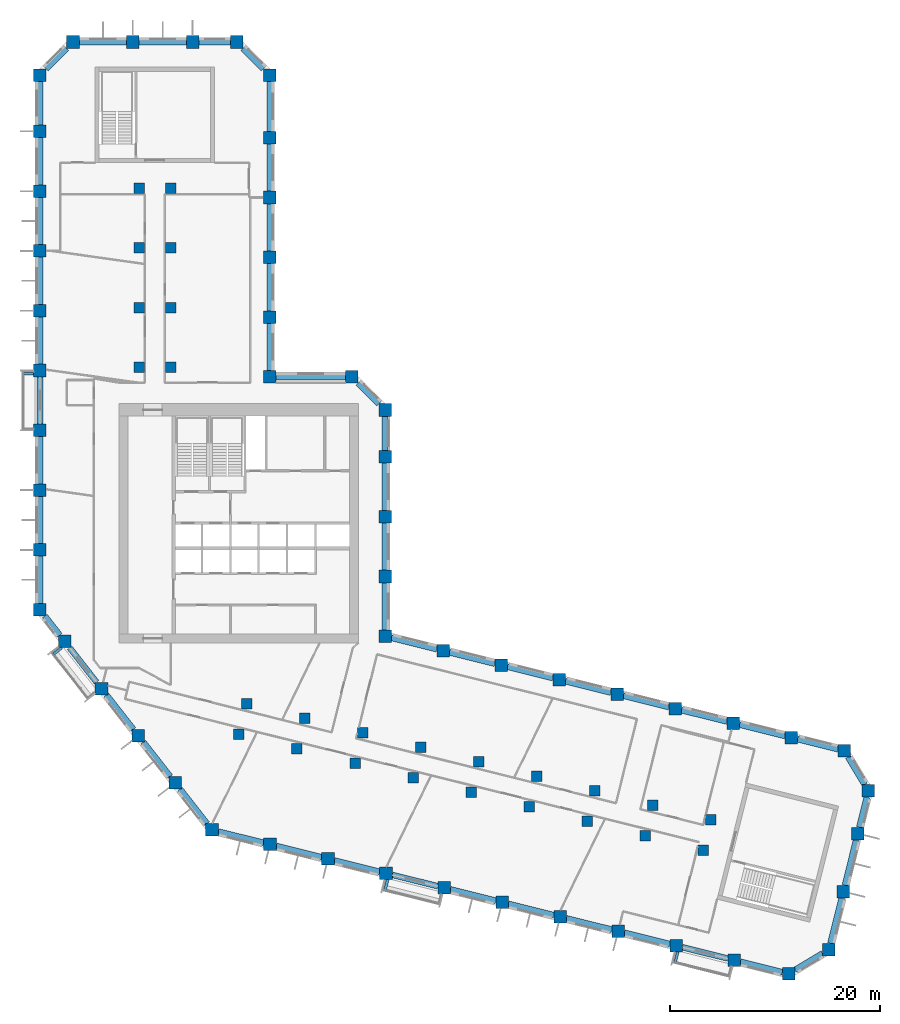
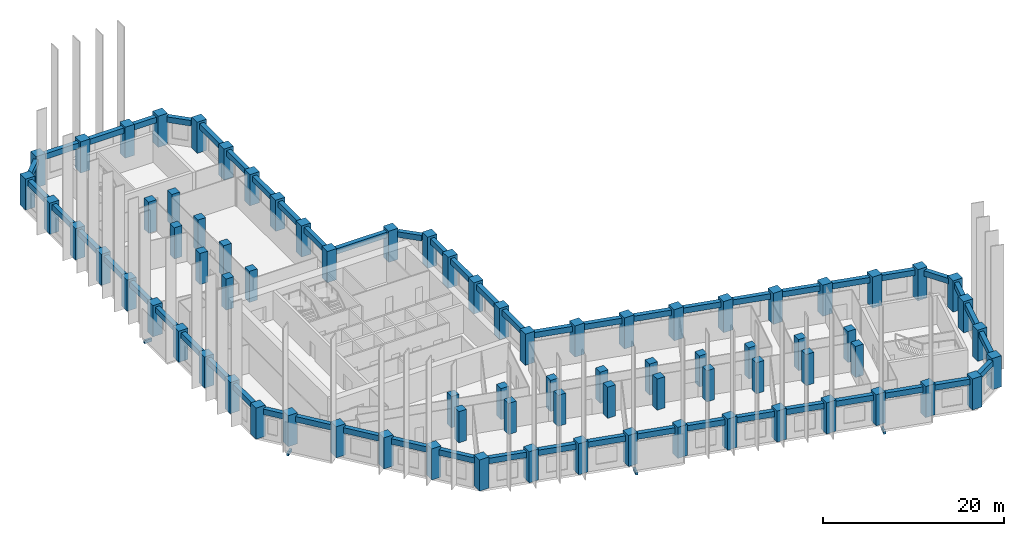
# One storey, part 1 of 10: 79 columns, 57 beams.
"""IFC4 building model written with IfcOpenShell, lengths in metres."""

from ifc_helpers import new_model, si_unit, direction, frame, origin, origin_2d, place, context, subcontext, project, spatial, rectangle, extrude, material, material_profile, profile_set, type_object, element, save


model = new_model("IFC4")

# Units and contexts
model_context = context("Model", 3, precision=1e-05, world=origin(), true_north=direction((0.0, 1.0)))
body_context = subcontext(model_context, "Body", "Model", "MODEL_VIEW")
ifc_project = project(units=[si_unit("LENGTHUNIT", "METRE"), si_unit("AREAUNIT", "SQUARE_METRE"), si_unit("VOLUMEUNIT", "CUBIC_METRE"), si_unit("PLANEANGLEUNIT", "RADIAN"), si_unit("MASSUNIT", "GRAM", prefix="KILO")], contexts=[model_context])

# Site, building, storey
site_placement = place(None, origin())
site = spatial("IfcSite", under=ifc_project, at=site_placement, CompositionType="ELEMENT")
building_placement = place(site_placement, origin())
building = spatial("IfcBuilding", under=site, at=building_placement, Name="Meshkara Civic Tower", CompositionType="ELEMENT")
storey_placement = place(building_placement, frame((0.0, 0.0, 195.0)))
storey = spatial("IfcBuildingStorey", under=building, at=storey_placement, Name="L44", CompositionType="ELEMENT", Elevation=195.0)

# Columns
ifc_material_1 = material(Name="Concrete C70", Category="concrete")
ifc_material_profile_1 = material_profile(ifc_material_1, rectangle(XDim=1.0, YDim=1.0, at=origin_2d()))
ifc_profile_set_1 = profile_set([ifc_material_profile_1], Name="Concrete C70")
column_type_1 = type_object("IfcColumnType", Name="Interior column RC 1000x1000 C70", PredefinedType="COLUMN", material=ifc_profile_set_1)
for number, where, z_axis, x_axis, name in (
    (1, (9.89990234375, 40.35009765625, 0.0), (0.0, 0.0, 1.0), (1.0, 0.0, 0.0), "Column SA1-04 L44"),
    (2, (9.89990234375, 46.050048828125, 0.0), (0.0, 0.0, 1.0), (1.0, 0.0, 0.0), "Column SA1-05 L44"),
    (3, (9.89990234375, 51.75, 0.0), (0.0, 0.0, 1.0), (1.0, 0.0, 0.0), "Column SA1-06 L44"),
    (4, (9.89990234375, 57.449951171875, 0.0), (0.0, 0.0, 1.0), (1.0, 0.0, 0.0), "Column SA1-07 L44"),
    (5, (12.89990234375, 40.35009765625, 0.0), (0.0, 0.0, 1.0), (1.0, 0.0, 0.0), "Column SA2-04 L44"),
    (6, (12.89990234375, 46.050048828125, 0.0), (0.0, 0.0, 1.0), (1.0, 0.0, 0.0), "Column SA2-05 L44"),
    (7, (12.89990234375, 51.75, 0.0), (0.0, 0.0, 1.0), (1.0, 0.0, 0.0), "Column SA2-06 L44"),
    (8, (12.89990234375, 57.449951171875, 0.0), (0.0, 0.0, 1.0), (1.0, 0.0, 0.0), "Column SA2-07 L44"),
    (9, (19.424072265625, 5.360107421875, 0.0), (0.0, 0.0, 1.0), (1.0, 0.0, 0.0), "Column SB1-00 L44"),
    (10, (24.9541015625, 3.98095703125, 0.0), (0.0, 0.0, 1.0), (1.0, 0.0, 0.0), "Column SB1-01 L44"),
    (11, (30.485107421875, 2.60205078125, 0.0), (0.0, 0.0, 1.0), (1.0, 0.0, 0.0), "Column SB1-02 L44"),
    (12, (36.01611328125, 1.222900390625, 0.0), (0.0, 0.0, 1.0), (1.0, 0.0, 0.0), "Column SB1-03 L44"),
    (13, (41.5458984375, -0.156005859375, 0.0), (0.0, 0.0, 1.0), (1.0, 0.0, 0.0), "Column SB1-04 L44"),
    (14, (47.076904296875, -1.534912109375, 0.0), (0.0, 0.0, 1.0), (1.0, 0.0, 0.0), "Column SB1-05 L44"),
    (15, (52.60791015625, -2.9140625, 0.0), (0.0, 0.0, 1.0), (1.0, 0.0, 0.0), "Column SB1-06 L44"),
    (16, (58.138916015625, -4.2919921875, 0.0), (0.0, 0.0, 1.0), (1.0, 0.0, 0.0), "Column SB1-07 L44"),
    (17, (63.6689453125, -5.6708984375, 0.0), (0.0, 0.0, 1.0), (1.0, 0.0, 0.0), "Column SB1-08 L44"),
    (18, (20.14892578125, 8.27099609375, 0.0), (0.0, 0.0, 1.0), (1.0, 0.0, 0.0), "Column SB2-00 L44"),
    (19, (25.679931640625, 6.89208984375, 0.0), (0.0, 0.0, 1.0), (1.0, 0.0, 0.0), "Column SB2-01 L44"),
    (20, (31.2109375, 5.512939453125, 0.0), (0.0, 0.0, 1.0), (1.0, 0.0, 0.0), "Column SB2-02 L44"),
    (21, (36.741943359375, 4.134033203125, 0.0), (0.0, 0.0, 1.0), (1.0, 0.0, 0.0), "Column SB2-03 L44"),
    (22, (42.27197265625, 2.7548828125, 0.0), (0.0, 0.0, 1.0), (1.0, 0.0, 0.0), "Column SB2-04 L44"),
    (23, (47.802978515625, 1.3759765625, 0.0), (0.0, 0.0, 1.0), (1.0, 0.0, 0.0), "Column SB2-05 L44"),
    (24, (53.333984375, -0.0029296875, 0.0), (0.0, 0.0, 1.0), (1.0, 0.0, 0.0), "Column SB2-06 L44"),
    (25, (58.864013671875, -1.382080078125, 0.0), (0.0, 0.0, 1.0), (1.0, 0.0, 0.0), "Column SB2-07 L44"),
    (26, (64.39501953125, -2.760986328125, 0.0), (0.0, 0.0, 1.0), (1.0, 0.0, 0.0), "Column SB2-08 L44"),
):
    element("IfcColumn", number, at=place(storey_placement, frame(where, z_axis=z_axis, x_axis=x_axis)), inside=storey, type_object=column_type_1, Name=name, PredefinedType="COLUMN", context=body_context, shape_type="SweptSolid", body=[
        extrude(rectangle(XDim=1.0, YDim=1.0, at=origin_2d()), origin(), (0.0, 0.0, 1.0), 4.199951171875),
    ])
ifc_material_2 = material(Name="Concrete C70", Category="concrete")
ifc_material_profile_2 = material_profile(ifc_material_2, rectangle(XDim=1.199951171875, YDim=1.199951171875, at=origin_2d()))
ifc_profile_set_2 = profile_set([ifc_material_profile_2], Name="Concrete C70")
column_type_2 = type_object("IfcColumnType", Name="Perimeter column RC 1200x1200 C70", PredefinedType="COLUMN", material=ifc_profile_set_2)
for number, where, z_axis, x_axis, name in (
    (27, (33.35009765625, 14.718994140625, 0.0), (0.0, 0.0, 1.0), (1.0, 0.0, 0.0), "Column HE00 L44"),
    (28, (33.35009765625, 20.4189453125, 0.0), (0.0, 0.0, 1.0), (1.0, 0.0, 0.0), "Column HE01 L44"),
    (29, (33.35009765625, 26.118896484375, 0.0), (0.0, 0.0, 1.0), (1.0, 0.0, 0.0), "Column HE02 L44"),
    (30, (33.35009765625, 31.819091796875, 0.0), (0.0, 0.0, 1.0), (1.0, 0.0, 0.0), "Column HE03 L44"),
    (31, (33.35009765625, 36.2939453125, 0.0), (0.0, 0.0, 1.0), (1.0, 0.0, 0.0), "Column HEE L44"),
    (32, (30.194091796875, 39.449951171875, 0.0), (0.0, 0.0, 1.0), (1.0, 0.0, 0.0), "Column HCeE L44"),
    (33, (22.35009765625, 39.449951171875, 0.0), (0.0, 0.0, 1.0), (1.0, 0.0, 0.0), "Column HN00 L44"),
    (34, (22.35009765625, 45.14990234375, 0.0), (0.0, 0.0, 1.0), (1.0, 0.0, 0.0), "Column AE01 L44"),
    (35, (22.35009765625, 50.85009765625, 0.0), (0.0, 0.0, 1.0), (1.0, 0.0, 0.0), "Column AE02 L44"),
    (36, (22.35009765625, 56.550048828125, 0.0), (0.0, 0.0, 1.0), (1.0, 0.0, 0.0), "Column AE03 L44"),
    (37, (22.35009765625, 62.25, 0.0), (0.0, 0.0, 1.0), (1.0, 0.0, 0.0), "Column AE04 L44"),
    (38, (22.35009765625, 68.214111328125, 0.0), (0.0, 0.0, 1.0), (1.0, 0.0, 0.0), "Column AEEP2 L44"),
    (39, (19.194091796875, 71.3701171875, 0.0), (0.0, 0.0, 1.0), (1.0, 0.0, 0.0), "Column ATiEP2 L44"),
    (40, (3.60595703125, 71.3701171875, 0.0), (0.0, 0.0, 1.0), (1.0, 0.0, 0.0), "Column AT00-P2 L44"),
    (41, (9.305908203125, 71.3701171875, 0.0), (0.0, 0.0, 1.0), (1.0, 0.0, 0.0), "Column AT01-P2 L44"),
    (42, (15.006103515625, 71.3701171875, 0.0), (0.0, 0.0, 1.0), (1.0, 0.0, 0.0), "Column AT02-P2 L44"),
    (43, (0.449951171875, 68.214111328125, 0.0), (0.0, 0.0, 1.0), (1.0, 0.0, 0.0), "Column ATo00-P2 L44"),
    (44, (0.449951171875, 17.2548828125, 0.0), (0.0, 0.0, 1.0), (1.0, 0.0, 0.0), "Column AW00 L44"),
    (45, (0.449951171875, 22.955078125, 0.0), (0.0, 0.0, 1.0), (1.0, 0.0, 0.0), "Column AW01 L44"),
    (46, (0.449951171875, 28.655029296875, 0.0), (0.0, 0.0, 1.0), (1.0, 0.0, 0.0), "Column AW02 L44"),
    (47, (0.449951171875, 34.35498046875, 0.0), (0.0, 0.0, 1.0), (1.0, 0.0, 0.0), "Column AW03 L44"),
    (48, (0.449951171875, 40.054931640625, 0.0), (0.0, 0.0, 1.0), (1.0, 0.0, 0.0), "Column AW04 L44"),
    (49, (0.449951171875, 45.7548828125, 0.0), (0.0, 0.0, 1.0), (1.0, 0.0, 0.0), "Column AW05 L44"),
    (50, (0.449951171875, 51.455078125, 0.0), (0.0, 0.0, 1.0), (1.0, 0.0, 0.0), "Column AW06 L44"),
    (51, (0.449951171875, 57.155029296875, 0.0), (0.0, 0.0, 1.0), (1.0, 0.0, 0.0), "Column AW07 L44"),
    (52, (0.449951171875, 62.85498046875, 0.0), (0.0, 0.0, 1.0), (1.0, 0.0, 0.0), "Column AW08 L44"),
    (53, (16.85107421875, -3.738037109375, 0.0), (0.0, 0.0, 1.0), (1.0, 0.0, 0.0), "Column BOW00 L44"),
    (54, (13.342041015625, 0.75390625, 0.0), (0.0, 0.0, 1.0), (1.0, 0.0, 0.0), "Column BOW01 L44"),
    (55, (9.8330078125, 5.2451171875, 0.0), (0.0, 0.0, 1.0), (1.0, 0.0, 0.0), "Column BOW02 L44"),
    (56, (6.322998046875, 9.737060546875, 0.0), (0.0, 0.0, 1.0), (1.0, 0.0, 0.0), "Column BOW03 L44"),
    (57, (2.81396484375, 14.22900390625, 0.0), (0.0, 0.0, 1.0), (1.0, 0.0, 0.0), "Column BOW04 L44"),
    (58, (22.382080078125, -5.116943359375, 0.0), (0.0, 0.0, 1.0), (1.0, 0.0, 0.0), "Column BS01 L44"),
    (59, (27.912109375, -6.49609375, 0.0), (0.0, 0.0, 1.0), (1.0, 0.0, 0.0), "Column BS02 L44"),
    (60, (33.443115234375, -7.875, 0.0), (0.0, 0.0, 1.0), (1.0, 0.0, 0.0), "Column BS03 L44"),
    (61, (38.97412109375, -9.2529296875, 0.0), (0.0, 0.0, 1.0), (1.0, 0.0, 0.0), "Column BS04-P1 L44"),
    (62, (44.5048828125, -10.632080078125, 0.0), (0.0, 0.0, 1.0), (1.0, 0.0, 0.0), "Column BS05 L44"),
    (63, (50.034912109375, -12.010986328125, 0.0), (0.0, 0.0, 1.0), (1.0, 0.0, 0.0), "Column BS06 L44"),
    (64, (55.56591796875, -13.389892578125, 0.0), (0.0, 0.0, 1.0), (1.0, 0.0, 0.0), "Column BS07 L44"),
    (65, (61.096923828125, -14.76904296875, 0.0), (0.0, 0.0, 1.0), (1.0, 0.0, 0.0), "Column BS08 L44"),
    (66, (66.626953125, -16.14794921875, 0.0), (0.0, 0.0, 1.0), (1.0, 0.0, 0.0), "Column BS09 L44"),
    (67, (71.826904296875, -17.444091796875, 0.0), (0.0, 0.0, 1.0), (1.0, 0.0, 0.0), "Column BSEP2 L44"),
    (68, (75.653076171875, -15.14501953125, 0.0), (0.0, 0.0, 1.0), (1.0, 0.0, 0.0), "Column BToEP2 L44"),
    (69, (77.031982421875, -9.614013671875, 0.0), (0.0, 0.0, 1.0), (1.0, 0.0, 0.0), "Column BT01-P2 L44"),
    (70, (78.410888671875, -4.083984375, 0.0), (0.0, 0.0, 1.0), (1.0, 0.0, 0.0), "Column BT02-P2 L44"),
    (71, (79.424072265625, -0.02099609375, 0.0), (0.0, 0.0, 1.0), (1.0, 0.0, 0.0), "Column BTEP2 L44"),
    (72, (77.125, 3.803955078125, 0.0), (0.0, 0.0, 1.0), (1.0, 0.0, 0.0), "Column BTi00-P2 L44"),
    (73, (38.881103515625, 13.340087890625, 0.0), (0.0, 0.0, 1.0), (1.0, 0.0, 0.0), "Column BN01 L44"),
    (74, (44.410888671875, 11.9609375, 0.0), (0.0, 0.0, 1.0), (1.0, 0.0, 0.0), "Column BN02 L44"),
    (75, (49.94189453125, 10.58203125, 0.0), (0.0, 0.0, 1.0), (1.0, 0.0, 0.0), "Column BN03 L44"),
    (76, (55.472900390625, 9.202880859375, 0.0), (0.0, 0.0, 1.0), (1.0, 0.0, 0.0), "Column BN04 L44"),
    (77, (61.0029296875, 7.823974609375, 0.0), (0.0, 0.0, 1.0), (1.0, 0.0, 0.0), "Column BN05 L44"),
    (78, (66.533935546875, 6.445068359375, 0.0), (0.0, 0.0, 1.0), (1.0, 0.0, 0.0), "Column BN06 L44"),
    (79, (72.06494140625, 5.06591796875, 0.0), (0.0, 0.0, 1.0), (1.0, 0.0, 0.0), "Column BN07 L44"),
):
    element("IfcColumn", number, at=place(storey_placement, frame(where, z_axis=z_axis, x_axis=x_axis)), inside=storey, type_object=column_type_2, Name=name, PredefinedType="COLUMN", context=body_context, shape_type="SweptSolid", body=[
        extrude(rectangle(XDim=1.199951171875, YDim=1.199951171875, at=origin_2d()), origin(), (0.0, 0.0, 1.0), 4.199951171875),
    ])

# Beams
ifc_material_3 = material(Name="Concrete C50", Category="concrete")
ifc_material_profile_3 = material_profile(ifc_material_3, rectangle(XDim=0.25, YDim=0.39990234375, at=origin_2d()))
ifc_profile_set_3 = profile_set([ifc_material_profile_3], Name="Concrete C50")
beam_type_1 = type_object("IfcBeamType", Name="Balcony bracket beam RC 250x400 C50", PredefinedType="BEAM", material=ifc_profile_set_3)
beam_1_placement = place(storey_placement, frame((-0.14501953125, 39.7548828125, -0.5), z_axis=(-1.0, 0.0, 0.0), x_axis=(0.0, -1.0, 0.0)))
element("IfcBeam", 80, at=beam_1_placement, inside=storey, type_object=beam_type_1, Name="Balcony bracket beam", PredefinedType="BEAM", context=body_context, shape_type="SweptSolid", body=[
    extrude(rectangle(XDim=0.25, YDim=0.39990234375, at=origin_2d()), origin(), (0.0, 0.0, 1.0), 0.955078125),
])
beam_2_placement = place(storey_placement, frame((2.537109375, 13.632080078125, -0.5), z_axis=(-0.787905405849, -0.615796290533, 0.0), x_axis=(0.615796290533, -0.787905405849, 0.0)))
element("IfcBeam", 81, at=beam_2_placement, inside=storey, type_object=beam_type_1, Name="Balcony bracket beam", PredefinedType="BEAM", context=body_context, shape_type="SweptSolid", body=[
    extrude(rectangle(XDim=0.25, YDim=0.39990234375, at=origin_2d()), origin(), (0.0, 0.0, 1.0), 0.964599609375),
])
beam_3_placement = place(storey_placement, frame((33.60400390625, -8.469970703125, -0.5), z_axis=(-0.242421996939, -0.9701709001, 0.0), x_axis=(0.9701709001, -0.242421996939, 0.0)))
element("IfcBeam", 82, at=beam_3_placement, inside=storey, type_object=beam_type_1, Name="Balcony bracket beam", PredefinedType="BEAM", context=body_context, shape_type="SweptSolid", body=[
    extrude(rectangle(XDim=0.25, YDim=0.39990234375, at=origin_2d()), origin(), (0.0, 0.0, 1.0), 1.01123046875),
])
beam_4_placement = place(storey_placement, frame((61.258056640625, -15.364013671875, -0.5), z_axis=(-0.24219504991, -0.970227580416, 0.0), x_axis=(0.970227580416, -0.24219504991, 0.0)))
element("IfcBeam", 83, at=beam_4_placement, inside=storey, type_object=beam_type_1, Name="Balcony bracket beam", PredefinedType="BEAM", context=body_context, shape_type="SweptSolid", body=[
    extrude(rectangle(XDim=0.25, YDim=0.39990234375, at=origin_2d()), origin(), (0.0, 0.0, 1.0), 1.011962890625),
])
ifc_material_4 = material(Name="Concrete C60", Category="concrete")
ifc_material_profile_4 = material_profile(ifc_material_4, rectangle(XDim=0.550048828125, YDim=0.75, at=origin_2d()))
ifc_profile_set_4 = profile_set([ifc_material_profile_4], Name="Concrete C60")
beam_type_2 = type_object("IfcBeamType", Name="Spandrel beam RC 550x750 C60", PredefinedType="BEAM", material=ifc_profile_set_4)
for number, where, z_axis, x_axis, name in (
    (84, (71.469970703125, 5.21435546875, 3.52490234375), (-0.970296390995, 0.241919229543, 0.0), (-0.241919229543, -0.970296390995, 0.0), "Spandrel beam BN06-BN07"),
    (85, (65.93896484375, 6.593505859375, 3.52490234375), (-0.970309199754, 0.241867850018, 0.0), (-0.241867850018, -0.970309199754, 0.0), "Spandrel beam BN05-BN06"),
):
    element("IfcBeam", number, at=place(storey_placement, frame(where, z_axis=z_axis, x_axis=x_axis)), inside=storey, type_object=beam_type_2, Name=name, PredefinedType="BEAM", context=body_context, shape_type="SweptSolid", body=[
        extrude(rectangle(XDim=0.550048828125, YDim=0.75, at=origin_2d()), origin(), (0.0, 0.0, 1.0), 4.4736328125),
    ])
beam_5_placement = place(storey_placement, frame((60.407958984375, 7.972412109375, 3.52490234375), z_axis=(-0.970283611566, 0.241970479865, 0.0), x_axis=(-0.241970479865, -0.970283611566, 0.0)))
element("IfcBeam", 86, at=beam_5_placement, inside=storey, type_object=beam_type_2, Name="Spandrel beam BN04-BN05", PredefinedType="BEAM", context=body_context, shape_type="SweptSolid", body=[
    extrude(rectangle(XDim=0.550048828125, YDim=0.75, at=origin_2d()), origin(), (0.0, 0.0, 1.0), 4.47265625),
])
for number, where, z_axis, x_axis, name in (
    (87, (54.8779296875, 9.351318359375, 3.52490234375), (-0.970296390995, 0.241919229543, 0.0), (-0.241919229543, -0.970296390995, 0.0), "Spandrel beam BN03-BN04"),
    (88, (49.346923828125, 10.73046875, 3.52490234375), (-0.970309199754, 0.241867850018, 0.0), (-0.241867850018, -0.970309199754, 0.0), "Spandrel beam BN02-BN03"),
):
    element("IfcBeam", number, at=place(storey_placement, frame(where, z_axis=z_axis, x_axis=x_axis)), inside=storey, type_object=beam_type_2, Name=name, PredefinedType="BEAM", context=body_context, shape_type="SweptSolid", body=[
        extrude(rectangle(XDim=0.550048828125, YDim=0.75, at=origin_2d()), origin(), (0.0, 0.0, 1.0), 4.4736328125),
    ])
beam_6_placement = place(storey_placement, frame((43.81591796875, 12.109375, 3.52490234375), z_axis=(-0.970283611566, 0.241970479865, 0.0), x_axis=(-0.241970479865, -0.970283611566, 0.0)))
element("IfcBeam", 89, at=beam_6_placement, inside=storey, type_object=beam_type_2, Name="Spandrel beam BN01-BN02", PredefinedType="BEAM", context=body_context, shape_type="SweptSolid", body=[
    extrude(rectangle(XDim=0.550048828125, YDim=0.75, at=origin_2d()), origin(), (0.0, 0.0, 1.0), 4.47265625),
])
beam_7_placement = place(storey_placement, frame((38.285888671875, 13.48828125, 3.52490234375), z_axis=(-0.970296390995, 0.241919229543, 0.0), x_axis=(-0.241919229543, -0.970296390995, 0.0)))
element("IfcBeam", 90, at=beam_7_placement, inside=storey, type_object=beam_type_2, Name="Spandrel beam BN01-HE00", PredefinedType="BEAM", context=body_context, shape_type="SweptSolid", body=[
    extrude(rectangle(XDim=0.550048828125, YDim=0.75, at=origin_2d()), origin(), (0.0, 0.0, 1.0), 4.4736328125),
])
for number, where, z_axis, x_axis, name in (
    (91, (33.35009765625, 15.31396484375, 3.52490234375), (0.0, 1.0, 0.0), (-1.0, 0.0, 0.0), "Spandrel beam HE00-HE01"),
    (92, (33.35009765625, 21.013916015625, 3.52490234375), (0.0, 1.0, 0.0), (-1.0, 0.0, 0.0), "Spandrel beam HE01-HE02"),
    (93, (33.35009765625, 26.714111328125, 3.52490234375), (0.0, 1.0, 0.0), (-1.0, 0.0, 0.0), "Spandrel beam HE02-HE03"),
):
    element("IfcBeam", number, at=place(storey_placement, frame(where, z_axis=z_axis, x_axis=x_axis)), inside=storey, type_object=beam_type_2, Name=name, PredefinedType="BEAM", context=body_context, shape_type="SweptSolid", body=[
        extrude(rectangle(XDim=0.550048828125, YDim=0.75, at=origin_2d()), origin(), (0.0, 0.0, 1.0), 4.510009765625),
    ])
beam_8_placement = place(storey_placement, frame((33.35009765625, 32.4140625, 3.52490234375), z_axis=(0.0, 1.0, 0.0), x_axis=(-1.0, 0.0, 0.0)))
element("IfcBeam", 94, at=beam_8_placement, inside=storey, type_object=beam_type_2, Name="Spandrel beam HE03-HEE", PredefinedType="BEAM", context=body_context, shape_type="SweptSolid", body=[
    extrude(rectangle(XDim=0.550048828125, YDim=0.75, at=origin_2d()), origin(), (0.0, 0.0, 1.0), 3.284912109375),
])
beam_9_placement = place(storey_placement, frame((32.75341796875, 36.890380859375, 3.52490234375), z_axis=(-0.707062808252, 0.707150751387, 0.0), x_axis=(-0.707150751387, -0.707062808252, 0.0)))
element("IfcBeam", 95, at=beam_9_placement, inside=storey, type_object=beam_type_2, Name="Spandrel beam HCeE-HEE", PredefinedType="BEAM", context=body_context, shape_type="SweptSolid", body=[
    extrude(rectangle(XDim=0.550048828125, YDim=0.75, at=origin_2d()), origin(), (0.0, 0.0, 1.0), 2.776123046875),
])
beam_10_placement = place(storey_placement, frame((29.59912109375, 39.449951171875, 3.52490234375), z_axis=(-1.0, 0.0, 0.0), x_axis=(0.0, -1.0, 0.0)))
element("IfcBeam", 96, at=beam_10_placement, inside=storey, type_object=beam_type_2, Name="Spandrel beam HCeE-HN00", PredefinedType="BEAM", context=body_context, shape_type="SweptSolid", body=[
    extrude(rectangle(XDim=0.550048828125, YDim=0.75, at=origin_2d()), origin(), (0.0, 0.0, 1.0), 6.654052734375),
])
beam_11_placement = place(storey_placement, frame((22.35009765625, 40.044921875, 3.52490234375), z_axis=(0.0, 1.0, 0.0), x_axis=(-1.0, 0.0, 0.0)))
element("IfcBeam", 97, at=beam_11_placement, inside=storey, type_object=beam_type_2, Name="Spandrel beam AE01-HN00", PredefinedType="BEAM", context=body_context, shape_type="SweptSolid", body=[
    extrude(rectangle(XDim=0.550048828125, YDim=0.75, at=origin_2d()), origin(), (0.0, 0.0, 1.0), 4.510009765625),
])
beam_12_placement = place(storey_placement, frame((22.35009765625, 45.7451171875, 3.52490234375), z_axis=(0.0, 1.0, 0.0), x_axis=(-1.0, 0.0, 0.0)))
element("IfcBeam", 98, at=beam_12_placement, inside=storey, type_object=beam_type_2, Name="Spandrel beam AE01-AE02", PredefinedType="BEAM", context=body_context, shape_type="SweptSolid", body=[
    extrude(rectangle(XDim=0.550048828125, YDim=0.75, at=origin_2d()), origin(), (0.0, 0.0, 1.0), 4.509765625),
])
for number, where, z_axis, x_axis, name in (
    (99, (22.35009765625, 51.445068359375, 3.52490234375), (0.0, 1.0, 0.0), (-1.0, 0.0, 0.0), "Spandrel beam AE02-AE03"),
    (100, (22.35009765625, 57.14501953125, 3.52490234375), (0.0, 1.0, 0.0), (-1.0, 0.0, 0.0), "Spandrel beam AE03-AE04"),
):
    element("IfcBeam", number, at=place(storey_placement, frame(where, z_axis=z_axis, x_axis=x_axis)), inside=storey, type_object=beam_type_2, Name=name, PredefinedType="BEAM", context=body_context, shape_type="SweptSolid", body=[
        extrude(rectangle(XDim=0.550048828125, YDim=0.75, at=origin_2d()), origin(), (0.0, 0.0, 1.0), 4.510009765625),
    ])
beam_13_placement = place(storey_placement, frame((22.35009765625, 62.844970703125, 3.52490234375), z_axis=(0.0, 1.0, 0.0), x_axis=(-1.0, 0.0, 0.0)))
element("IfcBeam", 101, at=beam_13_placement, inside=storey, type_object=beam_type_2, Name="Spandrel beam AE04-AEEP2", PredefinedType="BEAM", context=body_context, shape_type="SweptSolid", body=[
    extrude(rectangle(XDim=0.550048828125, YDim=0.75, at=origin_2d()), origin(), (0.0, 0.0, 1.0), 4.77392578125),
])
beam_14_placement = place(storey_placement, frame((21.75341796875, 68.810546875, 3.52490234375), z_axis=(-0.707106781187, 0.707106781187, 0.0), x_axis=(-0.707106781187, -0.707106781187, 0.0)))
element("IfcBeam", 102, at=beam_14_placement, inside=storey, type_object=beam_type_2, Name="Spandrel beam AEEP2-ATiEP2", PredefinedType="BEAM", context=body_context, shape_type="SweptSolid", body=[
    extrude(rectangle(XDim=0.550048828125, YDim=0.75, at=origin_2d()), origin(), (0.0, 0.0, 1.0), 2.77587890625),
])
beam_15_placement = place(storey_placement, frame((18.59912109375, 71.3701171875, 3.52490234375), z_axis=(-1.0, 0.0, 0.0), x_axis=(0.0, -1.0, 0.0)))
element("IfcBeam", 103, at=beam_15_placement, inside=storey, type_object=beam_type_2, Name="Spandrel beam AT02-P2-ATiEP2", PredefinedType="BEAM", context=body_context, shape_type="SweptSolid", body=[
    extrude(rectangle(XDim=0.550048828125, YDim=0.75, at=origin_2d()), origin(), (0.0, 0.0, 1.0), 2.998046875),
])
for number, where, z_axis, x_axis, name in (
    (104, (14.410888671875, 71.3701171875, 3.52490234375), (-1.0, 0.0, 0.0), (0.0, -1.0, 0.0), "Spandrel beam AT01-P2-AT02-P2"),
    (105, (8.7109375, 71.3701171875, 3.52490234375), (-1.0, 0.0, 0.0), (0.0, -1.0, 0.0), "Spandrel beam AT00-P2-AT01-P2"),
):
    element("IfcBeam", number, at=place(storey_placement, frame(where, z_axis=z_axis, x_axis=x_axis)), inside=storey, type_object=beam_type_2, Name=name, PredefinedType="BEAM", context=body_context, shape_type="SweptSolid", body=[
        extrude(rectangle(XDim=0.550048828125, YDim=0.75, at=origin_2d()), origin(), (0.0, 0.0, 1.0), 4.510009765625),
    ])
beam_16_placement = place(storey_placement, frame((3.009521484375, 70.7734375, 3.52490234375), z_axis=(-0.707150751387, -0.707062808252, 0.0), x_axis=(0.707062808252, -0.707150751387, 0.0)))
element("IfcBeam", 106, at=beam_16_placement, inside=storey, type_object=beam_type_2, Name="Spandrel beam AT00-P2-ATo00-P2", PredefinedType="BEAM", context=body_context, shape_type="SweptSolid", body=[
    extrude(rectangle(XDim=0.550048828125, YDim=0.75, at=origin_2d()), origin(), (0.0, 0.0, 1.0), 2.776123046875),
])
beam_17_placement = place(storey_placement, frame((0.449951171875, 67.618896484375, 3.52490234375), z_axis=(0.0, -1.0, 0.0), x_axis=(1.0, 0.0, 0.0)))
element("IfcBeam", 107, at=beam_17_placement, inside=storey, type_object=beam_type_2, Name="Spandrel beam ATo00-P2-AW08", PredefinedType="BEAM", context=body_context, shape_type="SweptSolid", body=[
    extrude(rectangle(XDim=0.550048828125, YDim=0.75, at=origin_2d()), origin(), (0.0, 0.0, 1.0), 4.1689453125),
])
for number, where, z_axis, x_axis, name in (
    (108, (0.449951171875, 62.260009765625, 3.52490234375), (0.0, -1.0, 0.0), (1.0, 0.0, 0.0), "Spandrel beam AW07-AW08"),
    (109, (0.449951171875, 56.56005859375, 3.52490234375), (0.0, -1.0, 0.0), (1.0, 0.0, 0.0), "Spandrel beam AW06-AW07"),
    (110, (0.449951171875, 50.860107421875, 3.52490234375), (0.0, -1.0, 0.0), (1.0, 0.0, 0.0), "Spandrel beam AW05-AW06"),
    (111, (0.449951171875, 45.159912109375, 3.52490234375), (0.0, -1.0, 0.0), (1.0, 0.0, 0.0), "Spandrel beam AW04-AW05"),
    (112, (0.449951171875, 39.4599609375, 3.52490234375), (0.0, -1.0, 0.0), (1.0, 0.0, 0.0), "Spandrel beam AW03-AW04"),
    (113, (0.449951171875, 33.760009765625, 3.52490234375), (0.0, -1.0, 0.0), (1.0, 0.0, 0.0), "Spandrel beam AW02-AW03"),
    (114, (0.449951171875, 28.06005859375, 3.52490234375), (0.0, -1.0, 0.0), (1.0, 0.0, 0.0), "Spandrel beam AW01-AW02"),
    (115, (0.449951171875, 22.360107421875, 3.52490234375), (0.0, -1.0, 0.0), (1.0, 0.0, 0.0), "Spandrel beam AW00-AW01"),
):
    element("IfcBeam", number, at=place(storey_placement, frame(where, z_axis=z_axis, x_axis=x_axis)), inside=storey, type_object=beam_type_2, Name=name, PredefinedType="BEAM", context=body_context, shape_type="SweptSolid", body=[
        extrude(rectangle(XDim=0.550048828125, YDim=0.75, at=origin_2d()), origin(), (0.0, 0.0, 1.0), 4.510009765625),
    ])
beam_18_placement = place(storey_placement, frame((0.915771484375, 16.658935546875, 3.52490234375), z_axis=(0.615646077935, -0.788022783124, 0.0), x_axis=(0.788022783124, 0.615646077935, 0.0)))
element("IfcBeam", 116, at=beam_18_placement, inside=storey, type_object=beam_type_2, Name="Spandrel beam AW00-BOW04", PredefinedType="BEAM", context=body_context, shape_type="SweptSolid", body=[
    extrude(rectangle(XDim=0.550048828125, YDim=0.75, at=origin_2d()), origin(), (0.0, 0.0, 1.0), 2.326904296875),
])
beam_19_placement = place(storey_placement, frame((3.279541015625, 13.6328125, 3.52490234375), z_axis=(0.615630464754, -0.788034980738, 0.0), x_axis=(0.788034980738, 0.615630464754, 0.0)))
element("IfcBeam", 117, at=beam_19_placement, inside=storey, type_object=beam_type_2, Name="Spandrel beam BOW03-BOW04", PredefinedType="BEAM", context=body_context, shape_type="SweptSolid", body=[
    extrude(rectangle(XDim=0.550048828125, YDim=0.75, at=origin_2d()), origin(), (0.0, 0.0, 1.0), 4.1875),
])
beam_20_placement = place(storey_placement, frame((6.788818359375, 9.140869140625, 3.52490234375), z_axis=(0.61570287025, -0.787978410596, 0.0), x_axis=(0.787978410596, 0.61570287025, 0.0)))
element("IfcBeam", 118, at=beam_20_placement, inside=storey, type_object=beam_type_2, Name="Spandrel beam BOW02-BOW03", PredefinedType="BEAM", context=body_context, shape_type="SweptSolid", body=[
    extrude(rectangle(XDim=0.550048828125, YDim=0.75, at=origin_2d()), origin(), (0.0, 0.0, 1.0), 4.187744140625),
])
beam_21_placement = place(storey_placement, frame((10.298583984375, 4.64892578125, 3.52490234375), z_axis=(0.615707413829, -0.787974860358, 0.0), x_axis=(0.787974860358, 0.615707413829, 0.0)))
element("IfcBeam", 119, at=beam_21_placement, inside=storey, type_object=beam_type_2, Name="Spandrel beam BOW01-BOW02", PredefinedType="BEAM", context=body_context, shape_type="SweptSolid", body=[
    extrude(rectangle(XDim=0.550048828125, YDim=0.75, at=origin_2d()), origin(), (0.0, 0.0, 1.0), 4.1865234375),
])
beam_22_placement = place(storey_placement, frame((13.8076171875, 0.157958984375, 3.52490234375), z_axis=(0.615630464754, -0.788034980738, 0.0), x_axis=(0.788034980738, 0.615630464754, 0.0)))
element("IfcBeam", 120, at=beam_22_placement, inside=storey, type_object=beam_type_2, Name="Spandrel beam BOW00-BOW01", PredefinedType="BEAM", context=body_context, shape_type="SweptSolid", body=[
    extrude(rectangle(XDim=0.550048828125, YDim=0.75, at=origin_2d()), origin(), (0.0, 0.0, 1.0), 4.1875),
])
beam_23_placement = place(storey_placement, frame((17.446044921875, -3.886474609375, 3.52490234375), z_axis=(0.970309199754, -0.241867850018, 0.0), x_axis=(0.241867850018, 0.970309199754, 0.0)))
element("IfcBeam", 121, at=beam_23_placement, inside=storey, type_object=beam_type_2, Name="Spandrel beam BOW00-BS01", PredefinedType="BEAM", context=body_context, shape_type="SweptSolid", body=[
    extrude(rectangle(XDim=0.550048828125, YDim=0.75, at=origin_2d()), origin(), (0.0, 0.0, 1.0), 4.4736328125),
])
beam_24_placement = place(storey_placement, frame((22.97705078125, -5.265380859375, 3.52490234375), z_axis=(0.970283611566, -0.241970479865, 0.0), x_axis=(0.241970479865, 0.970283611566, 0.0)))
element("IfcBeam", 122, at=beam_24_placement, inside=storey, type_object=beam_type_2, Name="Spandrel beam BS01-BS02", PredefinedType="BEAM", context=body_context, shape_type="SweptSolid", body=[
    extrude(rectangle(XDim=0.550048828125, YDim=0.75, at=origin_2d()), origin(), (0.0, 0.0, 1.0), 4.47265625),
])
for number, where, z_axis, x_axis, name in (
    (123, (28.507080078125, -6.644287109375, 3.52490234375), (0.970296390995, -0.241919229543, 0.0), (0.241919229543, 0.970296390995, 0.0), "Spandrel beam BS02-BS03"),
    (124, (34.0380859375, -8.023193359375, 3.52490234375), (0.970334810126, -0.241765084863, 0.0), (0.241765084863, 0.970334810126, 0.0), "Spandrel beam BS03-BS04-P1"),
    (125, (39.569091796875, -9.4013671875, 3.52490234375), (0.970296390995, -0.241919229543, 0.0), (0.241919229543, 0.970296390995, 0.0), "Spandrel beam BS04-P1-BS05"),
):
    element("IfcBeam", number, at=place(storey_placement, frame(where, z_axis=z_axis, x_axis=x_axis)), inside=storey, type_object=beam_type_2, Name=name, PredefinedType="BEAM", context=body_context, shape_type="SweptSolid", body=[
        extrude(rectangle(XDim=0.550048828125, YDim=0.75, at=origin_2d()), origin(), (0.0, 0.0, 1.0), 4.4736328125),
    ])
beam_25_placement = place(storey_placement, frame((45.10009765625, -10.780517578125, 3.52490234375), z_axis=(0.970296425585, -0.241919090807, 0.0), x_axis=(0.241919090807, 0.970296425585, 0.0)))
element("IfcBeam", 126, at=beam_25_placement, inside=storey, type_object=beam_type_2, Name="Spandrel beam BS05-BS06", PredefinedType="BEAM", context=body_context, shape_type="SweptSolid", body=[
    extrude(rectangle(XDim=0.550048828125, YDim=0.75, at=origin_2d()), origin(), (0.0, 0.0, 1.0), 4.47265625),
])
for number, where, z_axis, x_axis, name in (
    (127, (50.630126953125, -12.159423828125, 3.52490234375), (0.970296390995, -0.241919229543, 0.0), (0.241919229543, 0.970296390995, 0.0), "Spandrel beam BS06-BS07"),
    (128, (56.1611328125, -13.538330078125, 3.52490234375), (0.970296390995, -0.241919229543, 0.0), (0.241919229543, 0.970296390995, 0.0), "Spandrel beam BS07-BS08"),
):
    element("IfcBeam", number, at=place(storey_placement, frame(where, z_axis=z_axis, x_axis=x_axis)), inside=storey, type_object=beam_type_2, Name=name, PredefinedType="BEAM", context=body_context, shape_type="SweptSolid", body=[
        extrude(rectangle(XDim=0.550048828125, YDim=0.75, at=origin_2d()), origin(), (0.0, 0.0, 1.0), 4.4736328125),
    ])
beam_26_placement = place(storey_placement, frame((61.692138671875, -14.91748046875, 3.52490234375), z_axis=(0.970296425585, -0.241919090807, 0.0), x_axis=(0.241919090807, 0.970296425585, 0.0)))
element("IfcBeam", 129, at=beam_26_placement, inside=storey, type_object=beam_type_2, Name="Spandrel beam BS08-BS09", PredefinedType="BEAM", context=body_context, shape_type="SweptSolid", body=[
    extrude(rectangle(XDim=0.550048828125, YDim=0.75, at=origin_2d()), origin(), (0.0, 0.0, 1.0), 4.47265625),
])
beam_27_placement = place(storey_placement, frame((67.22216796875, -16.29638671875, 3.52490234375), z_axis=(0.970322944839, -0.241812701731, 0.0), x_axis=(0.241812701731, 0.970322944839, 0.0)))
element("IfcBeam", 130, at=beam_27_placement, inside=storey, type_object=beam_type_2, Name="Spandrel beam BS09-BSEP2", PredefinedType="BEAM", context=body_context, shape_type="SweptSolid", body=[
    extrude(rectangle(XDim=0.550048828125, YDim=0.75, at=origin_2d()), origin(), (0.0, 0.0, 1.0), 4.13232421875),
])
beam_28_placement = place(storey_placement, frame((72.422607421875, -17.0859375, 3.52490234375), z_axis=(0.85718440509, 0.515009607358, 0.0), x_axis=(-0.515009607358, 0.85718440509, 0.0)))
element("IfcBeam", 131, at=beam_28_placement, inside=storey, type_object=beam_type_2, Name="Spandrel beam BSEP2-BToEP2", PredefinedType="BEAM", context=body_context, shape_type="SweptSolid", body=[
    extrude(rectangle(XDim=0.550048828125, YDim=0.75, at=origin_2d()), origin(), (0.0, 0.0, 1.0), 3.07373046875),
])
beam_29_placement = place(storey_placement, frame((75.801513671875, -14.5498046875, 3.52490234375), z_axis=(0.241867850018, 0.970309199754, 0.0), x_axis=(-0.970309199754, 0.241867850018, 0.0)))
element("IfcBeam", 132, at=beam_29_placement, inside=storey, type_object=beam_type_2, Name="Spandrel beam BT01-P2-BToEP2", PredefinedType="BEAM", context=body_context, shape_type="SweptSolid", body=[
    extrude(rectangle(XDim=0.550048828125, YDim=0.75, at=origin_2d()), origin(), (0.0, 0.0, 1.0), 4.4736328125),
])
beam_30_placement = place(storey_placement, frame((77.180419921875, -9.018798828125, 3.52490234375), z_axis=(0.241983295733, 0.97028041544, 0.0), x_axis=(-0.97028041544, 0.241983295733, 0.0)))
element("IfcBeam", 133, at=beam_30_placement, inside=storey, type_object=beam_type_2, Name="Spandrel beam BT01-P2-BT02-P2", PredefinedType="BEAM", context=body_context, shape_type="SweptSolid", body=[
    extrude(rectangle(XDim=0.550048828125, YDim=0.75, at=origin_2d()), origin(), (0.0, 0.0, 1.0), 4.472412109375),
])
beam_31_placement = place(storey_placement, frame((78.559326171875, -3.489013671875, 3.52490234375), z_axis=(0.241934114249, 0.970292679743, 0.0), x_axis=(-0.970292679743, 0.241934114249, 0.0)))
element("IfcBeam", 134, at=beam_31_placement, inside=storey, type_object=beam_type_2, Name="Spandrel beam BT02-P2-BTEP2", PredefinedType="BEAM", context=body_context, shape_type="SweptSolid", body=[
    extrude(rectangle(XDim=0.550048828125, YDim=0.75, at=origin_2d()), origin(), (0.0, 0.0, 1.0), 2.960693359375),
])
beam_32_placement = place(storey_placement, frame((79.06591796875, 0.57470703125, 3.52490234375), z_axis=(-0.515126606613, 0.857114099265, 0.0), x_axis=(-0.857114099265, -0.515126606613, 0.0)))
element("IfcBeam", 135, at=beam_32_placement, inside=storey, type_object=beam_type_2, Name="Spandrel beam BTEP2-BTi00-P2", PredefinedType="BEAM", context=body_context, shape_type="SweptSolid", body=[
    extrude(rectangle(XDim=0.550048828125, YDim=0.75, at=origin_2d()), origin(), (0.0, 0.0, 1.0), 3.072509765625),
])
beam_33_placement = place(storey_placement, frame((76.52978515625, 3.952392578125, 3.52490234375), z_axis=(-0.970279182293, 0.241988240227, 0.0), x_axis=(-0.241988240227, -0.970279182293, 0.0)))
element("IfcBeam", 136, at=beam_33_placement, inside=storey, type_object=beam_type_2, Name="Spandrel beam BN07-BTi00-P2", PredefinedType="BEAM", context=body_context, shape_type="SweptSolid", body=[
    extrude(rectangle(XDim=0.550048828125, YDim=0.75, at=origin_2d()), origin(), (0.0, 0.0, 1.0), 3.98828125),
])

save(model, "model.ifc")
